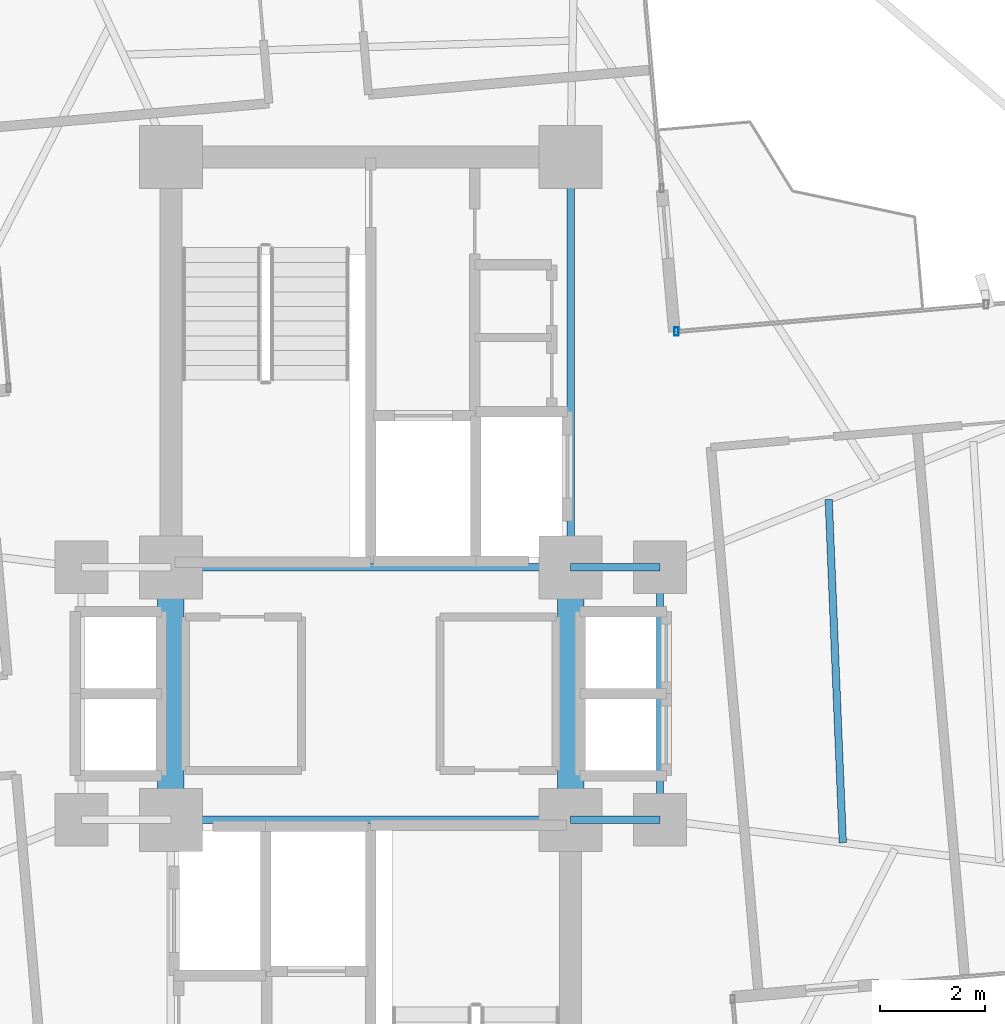
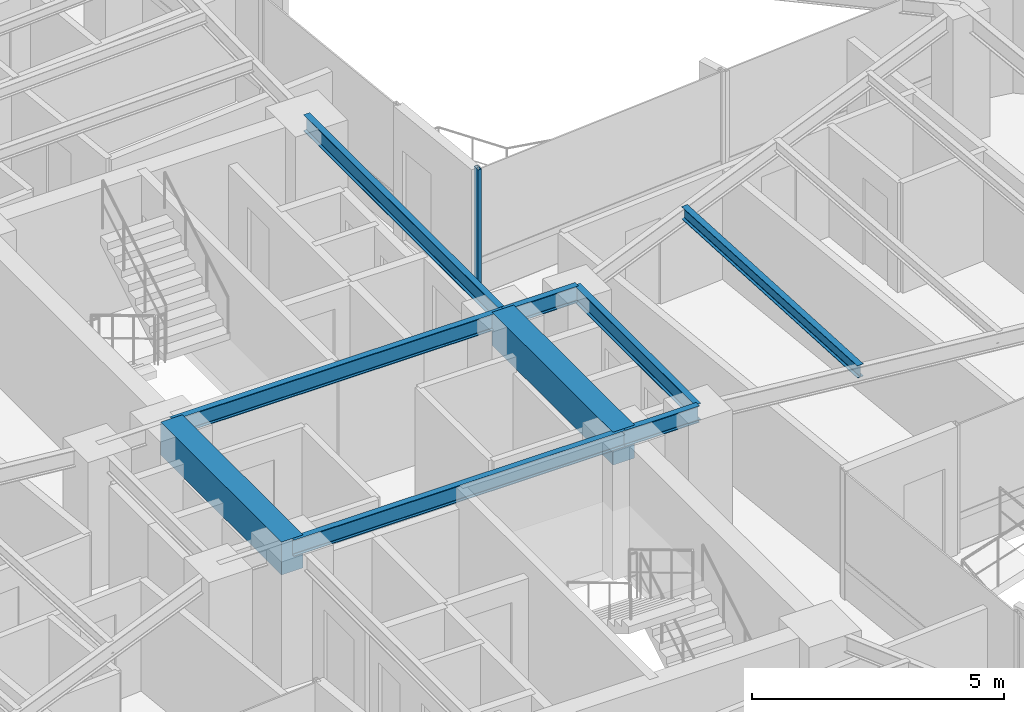
# One storey, part 11 of 24: 9 beams, 1 member, 1 element without a shape of its own.
"""IFC4 building model written with IfcOpenShell, lengths in metres."""

from ifc_helpers import new_model, si_unit, direction, frame, origin, origin_2d, place, context, subcontext, project, spatial, rectangle, hollow_rectangle, i_section, extrude, source, transform, mapped, material, material_profile, profile_set, type_object, element, aggregate, save


model = new_model("IFC4")

# Units and contexts
model_context = context("Model", 3, precision=1e-05, world=origin(), true_north=direction((0.0, 1.0)))
body_context = subcontext(model_context, "Body", "Model", "MODEL_VIEW")
ifc_project = project(units=[si_unit("LENGTHUNIT", "METRE"), si_unit("AREAUNIT", "SQUARE_METRE"), si_unit("VOLUMEUNIT", "CUBIC_METRE"), si_unit("PLANEANGLEUNIT", "RADIAN"), si_unit("MASSUNIT", "GRAM", prefix="KILO")], contexts=[model_context])

# Site, building, storey
site_placement = place(None, origin())
site = spatial("IfcSite", under=ifc_project, at=site_placement, CompositionType="ELEMENT")
building_placement = place(site_placement, origin())
building = spatial("IfcBuilding", under=site, at=building_placement, Name="Sahyath Konkavel Grand Hotel", CompositionType="ELEMENT")
storey_placement = place(building_placement, frame((0.0, 0.0, 178.550048828125)))
storey = spatial("IfcBuildingStorey", under=building, at=storey_placement, Name="L49", CompositionType="ELEMENT", Elevation=178.550048828125)

# Beams
ifc_material_1 = material(Name="Steel E350", Category="steel")
ifc_material_profile_1 = material_profile(ifc_material_1, i_section(OverallWidth=0.139892578125, OverallDepth=0.39990234375, WebThickness=0.0087890625, FlangeThickness=0.01611328125, FilletRadius=0.013916015625, at=origin_2d()), Name="ISMB 400")
ifc_profile_set_1 = profile_set([ifc_material_profile_1], Name="Steel E350")
beam_type_1 = type_object("IfcBeamType", Name="BM-ISMB400", PredefinedType="BEAM", material=ifc_profile_set_1)
shared_shape_1 = source(origin(), body_context, "Body", "SweptSolid", [
    extrude(i_section(OverallWidth=0.139892578125, OverallDepth=0.39990234375, WebThickness=0.0087890625, FlangeThickness=0.01611328125, FilletRadius=0.013916015625, at=origin_2d()), origin(), (0.0, 0.0, 1.0), 7.60009765625),
])
for number, where, z_axis, x_axis, name in (
    (1, (-3.800048828125, 2.39990234375, 2.909912109375), (1.0, 0.0, 0.0), (0.0, 1.0, 0.0), "str:bm:L49:NC-S"),
    (2, (-3.800048828125, -2.39990234375, 2.909912109375), (1.0, 0.0, 0.0), (0.0, 1.0, 0.0), "str:bm:L49:SC-N"),
):
    element("IfcBeam", number, at=place(storey_placement, frame(where, z_axis=z_axis, x_axis=x_axis)), inside=storey, type_object=beam_type_1, Name=name, PredefinedType="BEAM", context=body_context, shape_type="MappedRepresentation", body=[
        mapped(shared_shape_1, transform((0.0, 0.0, 0.0), scale=1.0)),
    ])
shared_shape_2 = source(origin(), body_context, "Body", "SweptSolid", [
    extrude(i_section(OverallWidth=0.139892578125, OverallDepth=0.39990234375, WebThickness=0.0087890625, FlangeThickness=0.01611328125, FilletRadius=0.013916015625, at=origin_2d()), origin(), (0.0, 0.0, 1.0), 7.800048828125),
])
beam_1_placement = place(storey_placement, frame((3.800048828125, 2.39990234375, 2.909912109375), z_axis=(0.0, 1.0, 0.0), x_axis=(-1.0, 0.0, 0.0)))
element("IfcBeam", 3, at=beam_1_placement, inside=storey, type_object=beam_type_1, Name="str:bm:L49:NC-E", PredefinedType="BEAM", context=body_context, shape_type="MappedRepresentation", body=[
    mapped(shared_shape_2, transform((0.0, 0.0, 0.0), scale=1.0)),
])
shared_shape_3 = source(origin(), body_context, "Body", "SweptSolid", [
    extrude(i_section(OverallWidth=0.139892578125, OverallDepth=0.39990234375, WebThickness=0.0087890625, FlangeThickness=0.01611328125, FilletRadius=0.013916015625, at=origin_2d()), origin(), (0.0, 0.0, 1.0), 1.699951171875),
])
for number, where, z_axis, x_axis, name in (
    (4, (3.800048828125, 2.39990234375, 2.909912109375), (1.0, 0.0, 0.0), (0.0, 1.0, 0.0), "str:bm:L49:HB-NE"),
    (5, (3.800048828125, -2.39990234375, 2.909912109375), (1.0, 0.0, 0.0), (0.0, 1.0, 0.0), "str:bm:L49:HB-SE"),
):
    element("IfcBeam", number, at=place(storey_placement, frame(where, z_axis=z_axis, x_axis=x_axis)), inside=storey, type_object=beam_type_1, Name=name, PredefinedType="BEAM", context=body_context, shape_type="MappedRepresentation", body=[
        mapped(shared_shape_3, transform((0.0, 0.0, 0.0), scale=1.0)),
    ])
shared_shape_4 = source(origin(), body_context, "Body", "SweptSolid", [
    extrude(i_section(OverallWidth=0.139892578125, OverallDepth=0.39990234375, WebThickness=0.0087890625, FlangeThickness=0.01611328125, FilletRadius=0.013916015625, at=origin_2d()), origin(), (0.0, 0.0, 1.0), 4.7998046875),
])
beam_2_placement = place(storey_placement, frame((5.5, -2.39990234375, 2.909912109375), z_axis=(0.0, 1.0, 0.0), x_axis=(-1.0, 0.0, 0.0)))
element("IfcBeam", 6, at=beam_2_placement, inside=storey, type_object=beam_type_1, Name="str:bm:L49:HB-E", PredefinedType="BEAM", context=body_context, shape_type="MappedRepresentation", body=[
    mapped(shared_shape_4, transform((0.0, 0.0, 0.0), scale=1.0)),
])
ifc_material_2 = material(Name="Concrete C50/60", Category="concrete")
ifc_material_profile_2 = material_profile(ifc_material_2, rectangle(XDim=0.5, YDim=0.800048828125, at=origin_2d()), Name="RC 500x800")
ifc_profile_set_2 = profile_set([ifc_material_profile_2], Name="Concrete C50/60")
beam_type_2 = type_object("IfcBeamType", Name="BM-CB500x800", PredefinedType="LINTEL", material=ifc_profile_set_2)
shared_shape_5 = source(origin(), body_context, "Body", "SweptSolid", [
    extrude(rectangle(XDim=0.5, YDim=0.800048828125, at=origin_2d()), origin(), (0.0, 0.0, 1.0), 4.7998046875),
])
for number, where, z_axis, x_axis, name in (
    (7, (-3.800048828125, -2.39990234375, 2.7099609375), (0.0, 1.0, 0.0), (-1.0, 0.0, 0.0), "L49 Split-Core Coupling Beam West"),
    (8, (3.800048828125, -2.39990234375, 2.7099609375), (0.0, 1.0, 0.0), (-1.0, 0.0, 0.0), "L49 Split-Core Coupling Beam East"),
):
    element("IfcBeam", number, at=place(storey_placement, frame(where, z_axis=z_axis, x_axis=x_axis)), inside=storey, type_object=beam_type_2, Name=name, PredefinedType="LINTEL", context=body_context, shape_type="MappedRepresentation", body=[
        mapped(shared_shape_5, transform((0.0, 0.0, 0.0), scale=1.0)),
    ])
ifc_material_profile_3 = material_profile(ifc_material_1, i_section(OverallWidth=0.139892578125, OverallDepth=0.300048828125, WebThickness=0.0078125, FlangeThickness=0.01318359375, FilletRadius=0.013916015625, at=origin_2d()), Name="ISMB 300")
ifc_profile_set_3 = profile_set([ifc_material_profile_3], Name="Steel E350")
beam_type_3 = type_object("IfcBeamType", Name="BM-ISMB300", PredefinedType="BEAM", material=ifc_profile_set_3)
shared_shape_6 = source(origin(), body_context, "Body", "SweptSolid", [
    extrude(i_section(OverallWidth=0.139892578125, OverallDepth=0.300048828125, WebThickness=0.0078125, FlangeThickness=0.01318359375, FilletRadius=0.013916015625, at=origin_2d()), origin(), (0.0, 0.0, 1.0), 6.530029296875),
])
beam_3_placement = place(storey_placement, frame((8.9755859375, -2.835205078125, 2.9599609375), z_axis=(-0.04112667768, 0.999153940283, 0.0), x_axis=(-0.999153940283, -0.04112667768, 0.0)))
element("IfcBeam", 9, at=beam_3_placement, inside=storey, type_object=beam_type_3, Name="L49 Secondary Floor Beam E-1", PredefinedType="BEAM", context=body_context, shape_type="MappedRepresentation", body=[
    mapped(shared_shape_6, transform((0.0, 0.0, 0.0), scale=1.0)),
])

# Curtain wall, member
ifc_material_3 = material(Name="Anodised Bronze Aluminium & Low-E Glazing", Category="aluminium")
curtain_wall_type = type_object("IfcCurtainWallType", Name="CW-ZONE3", PredefinedType="NOTDEFINED", material=ifc_material_3)
curtain_wall_placement = place(storey_placement, origin())
curtain_wall = element("IfcCurtainWall", 10, at=curtain_wall_placement, inside=storey, type_object=curtain_wall_type, Name="L49 Unitised Curtain Wall F7", PredefinedType="NOTDEFINED")
ifc_material_4 = material(Name="Anodised Bronze Aluminium", Category="aluminium")
ifc_material_profile_4 = material_profile(ifc_material_4, hollow_rectangle(XDim=0.080078125, YDim=0.159912109375, WallThickness=0.006103515625, at=origin_2d()), Name="RHS 160x80x6")
ifc_profile_set_4 = profile_set([ifc_material_profile_4], Name="Anodised Bronze Aluminium")
member_type = type_object("IfcMemberType", Name="CW-MUL-160", PredefinedType="MULLION", material=ifc_profile_set_4)
shared_shape_7 = source(origin(), body_context, "Body", "SweptSolid", [
    extrude(hollow_rectangle(XDim=0.080078125, YDim=0.159912109375, WallThickness=0.006103515625, at=origin_2d()), origin(), (0.0, 0.0, 1.0), 3.10986328125),
])
member_placement = place(storey_placement, frame((5.812255859375, 6.8828125, 0.0), z_axis=(0.0, 0.0, 1.0), x_axis=(1.0, 0.0, 0.0)))
member = element("IfcMember", 11, at=member_placement, type_object=member_type, Name="L49 Curtain Wall Mullion F7-2", PredefinedType="MULLION", context=body_context, shape_type="MappedRepresentation", body=[
    mapped(shared_shape_7, transform((0.0, 0.0, 0.0), scale=1.0)),
])
aggregate(curtain_wall, [member])

save(model, "model.ifc")
